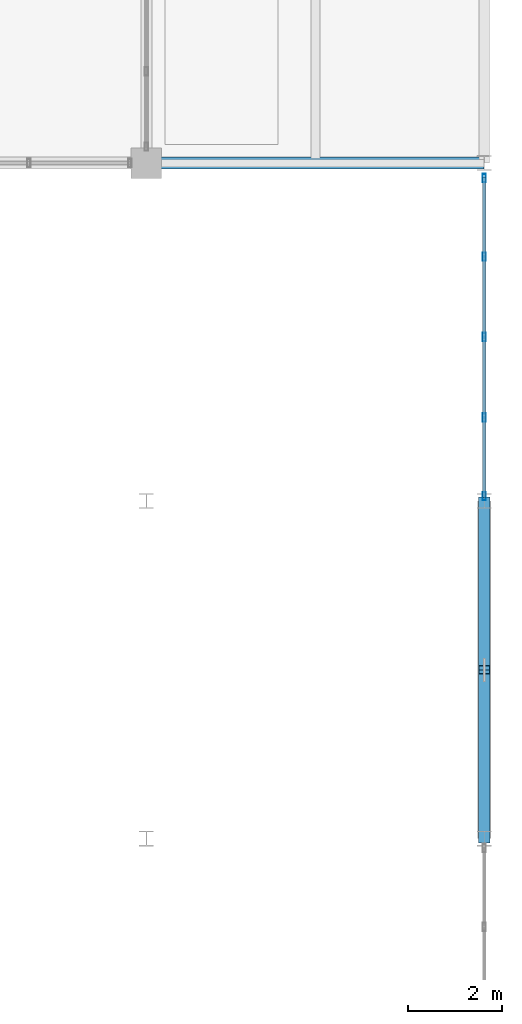
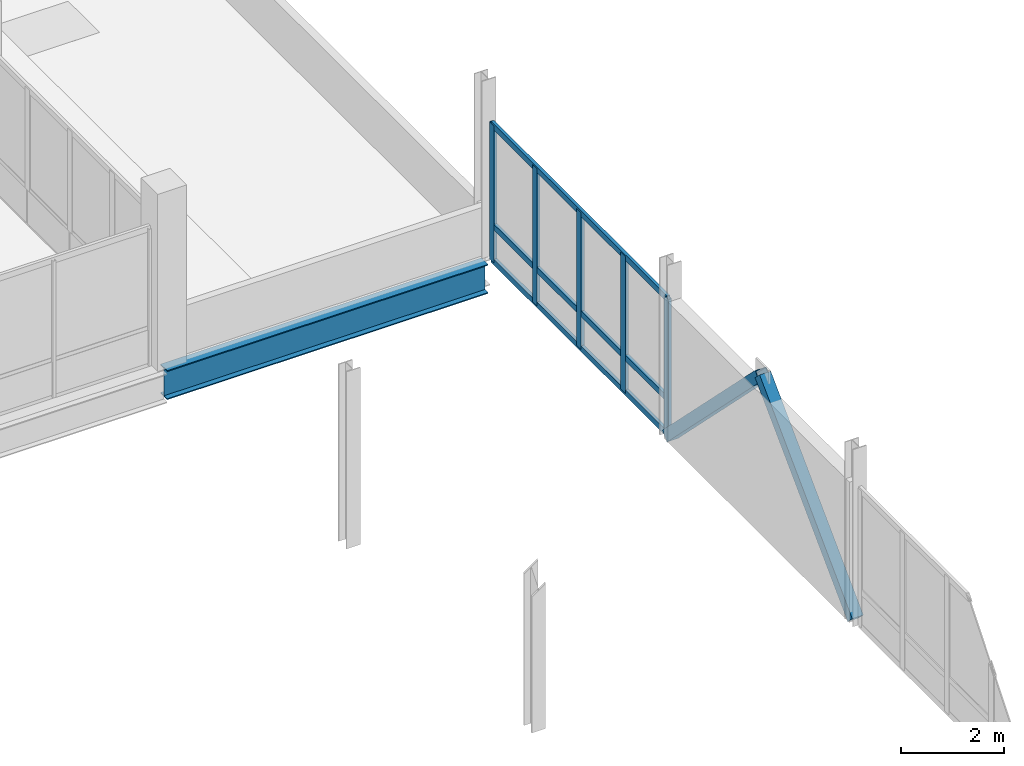
# One storey, part 60 of 102: 10 members, 1 beam, 1 element without a shape of its own.
"""IFC4 building model written with IfcOpenShell, lengths in metres."""

from ifc_helpers import new_model, si_unit, direction, frame, origin, origin_2d, place, context, subcontext, project, spatial, hollow_rectangle, i_section, extrude, material, material_profile, profile_set, type_object, element, aggregate, save


model = new_model("IFC4")

# Units and contexts
model_context = context("Model", 3, precision=1e-05, world=origin(), true_north=direction((0.0, 1.0)))
body_context = subcontext(model_context, "Body", "Model", "MODEL_VIEW")
ifc_project = project(units=[si_unit("LENGTHUNIT", "METRE"), si_unit("AREAUNIT", "SQUARE_METRE"), si_unit("VOLUMEUNIT", "CUBIC_METRE"), si_unit("PLANEANGLEUNIT", "RADIAN"), si_unit("MASSUNIT", "GRAM", prefix="KILO")], contexts=[model_context])

# Site, building, storey
site_placement = place(None, origin())
site = spatial("IfcSite", under=ifc_project, at=site_placement, CompositionType="ELEMENT")
building_placement = place(site_placement, origin())
building = spatial("IfcBuilding", under=site, at=building_placement, Name="Yarey Park Central Fire Station", CompositionType="ELEMENT")
storey_placement = place(building_placement, frame((0.0, 0.0, 6.0)))
storey = spatial("IfcBuildingStorey", under=building, at=storey_placement, Name="L02", CompositionType="ELEMENT", Elevation=6.0)

# Curtain wall, members
ifc_material_1 = material(Name="Anodized Aluminium Frame", Category="aluminium")
curtain_wall_type = type_object("IfcCurtainWallType", Name="ENV_CW_HQ_L02", PredefinedType="NOTDEFINED", material=ifc_material_1)
curtain_wall_placement = place(storey_placement, origin())
curtain_wall = element("IfcCurtainWall", 1, at=curtain_wall_placement, inside=storey, type_object=curtain_wall_type, Name="CW_L02_V5_E_3", PredefinedType="NOTDEFINED")
ifc_material_profile_1 = material_profile(ifc_material_1, hollow_rectangle(XDim=0.070068359375, YDim=0.179931640625, WallThickness=0.00390625, at=origin_2d()), Name="ALU 180x70x4")
ifc_profile_set_1 = profile_set([ifc_material_profile_1], Name="Anodized Aluminium Frame")
member_type_1 = type_object("IfcMemberType", Name="ENV_CW_MULLION", PredefinedType="MULLION", material=ifc_profile_set_1)
member_1_placement = place(storey_placement, frame((165.60009765625, 86.5, 0.0), z_axis=(0.0, 0.0, 1.0), x_axis=(1.0, 0.0, 0.0)))
member_1 = element("IfcMember", 2, at=member_1_placement, type_object=member_type_1, Name="CW_L02_V5_E_3_MUL1", PredefinedType="MULLION", context=body_context, shape_type="SweptSolid", body=[
    extrude(hollow_rectangle(XDim=0.070068359375, YDim=0.179931640625, WallThickness=0.00390625, at=origin_2d()), origin(), (0.0, 0.0, 1.0), 3.25),
])
member_2_placement = place(storey_placement, frame((165.60009765625, 88.175048828125, 0.0), z_axis=(0.0, 0.0, 1.0), x_axis=(1.0, 0.0, 0.0)))
member_2 = element("IfcMember", 3, at=member_2_placement, type_object=member_type_1, Name="CW_L02_V5_E_3_MUL2", PredefinedType="MULLION", context=body_context, shape_type="SweptSolid", body=[
    extrude(hollow_rectangle(XDim=0.070068359375, YDim=0.179931640625, WallThickness=0.00390625, at=origin_2d()), origin(), (0.0, 0.0, 1.0), 3.25),
])
member_3_placement = place(storey_placement, frame((165.60009765625, 89.889892578125, 0.0), z_axis=(0.0, 0.0, 1.0), x_axis=(1.0, 0.0, 0.0)))
member_3 = element("IfcMember", 4, at=member_3_placement, type_object=member_type_1, Name="CW_L02_V5_E_3_MUL3", PredefinedType="MULLION", context=body_context, shape_type="SweptSolid", body=[
    extrude(hollow_rectangle(XDim=0.070068359375, YDim=0.179931640625, WallThickness=0.00390625, at=origin_2d()), origin(), (0.0, 0.0, 1.0), 3.25),
])
member_4_placement = place(storey_placement, frame((165.60009765625, 91.60498046875, 0.0), z_axis=(0.0, 0.0, 1.0), x_axis=(1.0, 0.0, 0.0)))
member_4 = element("IfcMember", 5, at=member_4_placement, type_object=member_type_1, Name="CW_L02_V5_E_3_MUL4", PredefinedType="MULLION", context=body_context, shape_type="SweptSolid", body=[
    extrude(hollow_rectangle(XDim=0.070068359375, YDim=0.179931640625, WallThickness=0.00390625, at=origin_2d()), origin(), (0.0, 0.0, 1.0), 3.25),
])
member_5_placement = place(storey_placement, frame((165.60009765625, 93.280029296875, 0.0), z_axis=(0.0, 0.0, 1.0), x_axis=(1.0, 0.0, 0.0)))
member_5 = element("IfcMember", 6, at=member_5_placement, type_object=member_type_1, Name="CW_L02_V5_E_3_MUL5", PredefinedType="MULLION", context=body_context, shape_type="SweptSolid", body=[
    extrude(hollow_rectangle(XDim=0.070068359375, YDim=0.179931640625, WallThickness=0.00390625, at=origin_2d()), origin(), (0.0, 0.0, 1.0), 3.25),
])
ifc_material_profile_2 = material_profile(ifc_material_1, hollow_rectangle(XDim=0.070068359375, YDim=0.139892578125, WallThickness=0.00390625, at=origin_2d()), Name="ALU 140x70x4")
ifc_profile_set_2 = profile_set([ifc_material_profile_2], Name="Anodized Aluminium Frame")
member_type_2 = type_object("IfcMemberType", Name="ENV_CW_TRANSOM", PredefinedType="USERDEFINED", material=ifc_profile_set_2)
member_6_placement = place(storey_placement, frame((165.60009765625, 86.47509765625, 0.02490234375), z_axis=(0.0, 1.0, 0.0), x_axis=(-1.0, 0.0, 0.0)))
member_6 = element("IfcMember", 7, at=member_6_placement, type_object=member_type_2, Name="CW_L02_V5_E_3_TRN1", ObjectType="TRANSOM", PredefinedType="USERDEFINED", context=body_context, shape_type="SweptSolid", body=[
    extrude(hollow_rectangle(XDim=0.070068359375, YDim=0.139892578125, WallThickness=0.00390625, at=origin_2d()), origin(), (0.0, 0.0, 1.0), 6.829833984375),
])
member_7_placement = place(storey_placement, frame((165.60009765625, 86.47509765625, 0.85009765625), z_axis=(0.0, 1.0, 0.0), x_axis=(-1.0, 0.0, 0.0)))
member_7 = element("IfcMember", 8, at=member_7_placement, type_object=member_type_2, Name="CW_L02_V5_E_3_TRN2", ObjectType="TRANSOM", PredefinedType="USERDEFINED", context=body_context, shape_type="SweptSolid", body=[
    extrude(hollow_rectangle(XDim=0.070068359375, YDim=0.139892578125, WallThickness=0.00390625, at=origin_2d()), origin(), (0.0, 0.0, 1.0), 6.829833984375),
])
member_8_placement = place(storey_placement, frame((165.60009765625, 86.47509765625, 3.22509765625), z_axis=(0.0, 1.0, 0.0), x_axis=(-1.0, 0.0, 0.0)))
member_8 = element("IfcMember", 9, at=member_8_placement, type_object=member_type_2, Name="CW_L02_V5_E_3_TRN3", ObjectType="TRANSOM", PredefinedType="USERDEFINED", context=body_context, shape_type="SweptSolid", body=[
    extrude(hollow_rectangle(XDim=0.070068359375, YDim=0.139892578125, WallThickness=0.00390625, at=origin_2d()), origin(), (0.0, 0.0, 1.0), 6.829833984375),
])
aggregate(curtain_wall, [member_1, member_2, member_3, member_4, member_5, member_6, member_7, member_8])

# Beam
ifc_material_2 = material(Name="Steel ASTM A992 Gr. 50", Category="steel")
ifc_material_profile_3 = material_profile(ifc_material_2, i_section(OverallWidth=0.256103515625, OverallDepth=0.693115234375, WebThickness=0.014404296875, FlangeThickness=0.023681640625, at=origin_2d()), Name="W690x170")
ifc_profile_set_3 = profile_set([ifc_material_profile_3], Name="Steel ASTM A992 Gr. 50")
beam_type = type_object("IfcBeamType", Name="STR_BM_W690", PredefinedType="BEAM", material=ifc_profile_set_3)
beam_placement = place(storey_placement, frame((158.39990234375, 93.60009765625, -0.556396484375), z_axis=(1.0, 0.0, 0.0), x_axis=(0.0, 1.0, 0.0)))
element("IfcBeam", 10, at=beam_placement, inside=storey, type_object=beam_type, Name="BMX L02 Y936 X1584", PredefinedType="BEAM", context=body_context, shape_type="SweptSolid", body=[
    extrude(i_section(OverallWidth=0.256103515625, OverallDepth=0.693115234375, WebThickness=0.014404296875, FlangeThickness=0.023681640625, at=origin_2d()), origin(), (0.0, 0.0, 1.0), 7.2001953125),
])

# Members
ifc_material_3 = material(Name="Steel ASTM A500 Gr. C", Category="steel")
ifc_material_profile_4 = material_profile(ifc_material_3, hollow_rectangle(XDim=0.25, YDim=0.25, WallThickness=0.012451171875, at=origin_2d()), Name="HSS 250x250x12.5")
ifc_profile_set_4 = profile_set([ifc_material_profile_4], Name="Steel ASTM A500 Gr. C")
member_type_3 = type_object("IfcMemberType", Name="STR_CBF_HSS250", PredefinedType="BRACE", material=ifc_profile_set_4)
for number, where, z_axis, x_axis, name in (
    (11, (165.60009765625, 79.199951171875, 0.050048828125), (0.0, 0.707130757816, 0.707082803744), (-1.0, 0.0, 0.0), "CBF_V5_L02_79_1"),
    (12, (165.60009765625, 86.39990234375, 0.050048828125), (0.0, -0.707106781187, 0.707106781187), (1.0, 0.0, 0.0), "CBF_V5_L02_79_2"),
):
    element("IfcMember", number, at=place(storey_placement, frame(where, z_axis=z_axis, x_axis=x_axis)), inside=storey, type_object=member_type_3, Name=name, PredefinedType="BRACE", context=body_context, shape_type="SweptSolid", body=[
        extrude(hollow_rectangle(XDim=0.25, YDim=0.25, WallThickness=0.012451171875, at=origin_2d()), origin(), (0.0, 0.0, 1.0), 5.091064453125),
    ])

save(model, "model.ifc")
